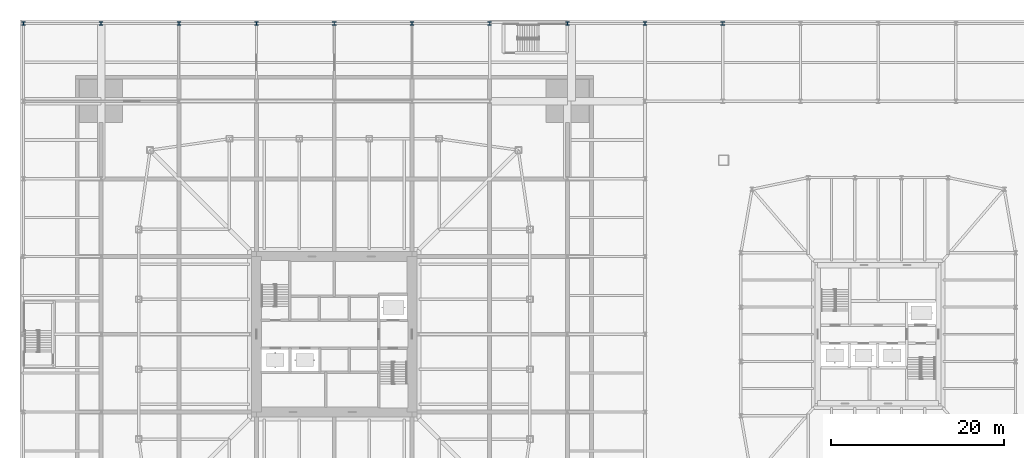
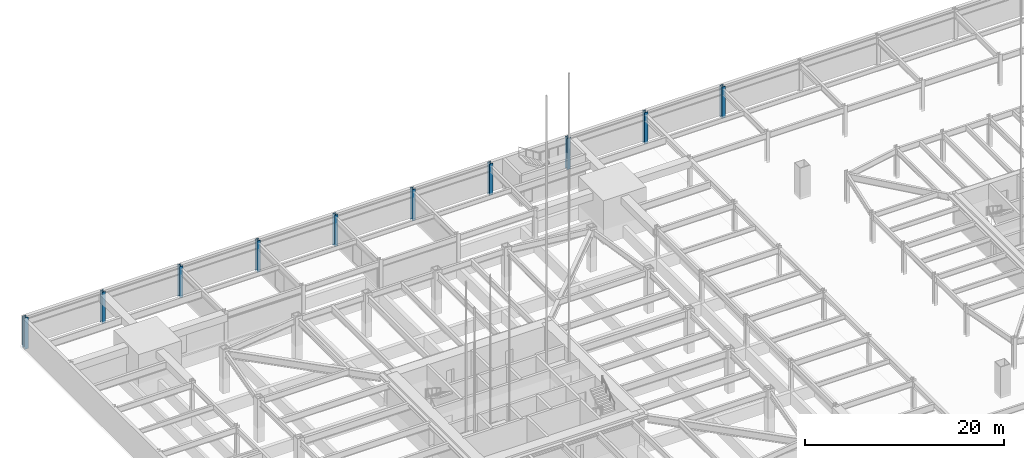
# One storey, part 4 of 35: 10 columns.
"""IFC4 building model written with IfcOpenShell, lengths in metres."""

from ifc_helpers import new_model, si_unit, direction, frame, origin, origin_2d, place, context, subcontext, project, spatial, i_section, extrude, material, material_profile, profile_set, type_object, element, save


model = new_model("IFC4")

# Units and contexts
model_context = context("Model", 3, precision=1e-05, world=origin(), true_north=direction((0.0, 1.0)))
body_context = subcontext(model_context, "Body", "Model", "MODEL_VIEW")
ifc_project = project(units=[si_unit("LENGTHUNIT", "METRE"), si_unit("AREAUNIT", "SQUARE_METRE"), si_unit("VOLUMEUNIT", "CUBIC_METRE"), si_unit("PLANEANGLEUNIT", "RADIAN"), si_unit("MASSUNIT", "GRAM", prefix="KILO")], contexts=[model_context])

# Site, building, storey
site_placement = place(None, origin())
site = spatial("IfcSite", under=ifc_project, at=site_placement, CompositionType="ELEMENT")
building_placement = place(site_placement, origin())
building = spatial("IfcBuilding", under=site, at=building_placement, Name="Iwan Alto Co-Living Towers", CompositionType="ELEMENT")
storey_placement = place(building_placement, frame((0.0, 0.0, -7.199951171875)))
storey = spatial("IfcBuildingStorey", under=building, at=storey_placement, Name="B2", CompositionType="ELEMENT", Elevation=-7.199951171875)

# Columns
ifc_material = material(Name="Steel ASTM A992 Gr 50", Category="steel")
ifc_material_profile = material_profile(ifc_material, i_section(OverallWidth=0.411376953125, OverallDepth=0.434326171875, WebThickness=0.035888671875, FlangeThickness=0.057373046875, at=origin_2d()), Name="W14X311")
ifc_profile_set = profile_set([ifc_material_profile], Name="Steel ASTM A992 Gr 50")
column_type = type_object("IfcColumnType", Name="PODIUM COLUMN W14X311", PredefinedType="COLUMN", material=ifc_profile_set)
for number, where, z_axis, x_axis, name in (
    (1, (-36.0, 36.0, -0.25), (0.0, 0.0, 1.0), (1.0, 0.0, 0.0), "Podium column 1/I B2"),
    (2, (-27.0, 36.0, -0.25), (0.0, 0.0, 1.0), (1.0, 0.0, 0.0), "Podium column 2/I B2"),
    (3, (-18.0, 36.0, -0.25), (0.0, 0.0, 1.0), (1.0, 0.0, 0.0), "Podium column 3/I B2"),
    (4, (-9.0, 36.0, -0.25), (0.0, 0.0, 1.0), (1.0, 0.0, 0.0), "Podium column 4/I B2"),
    (5, (0.0, 36.0, -0.25), (0.0, 0.0, 1.0), (1.0, 0.0, 0.0), "Podium column 5/I B2"),
    (6, (9.0, 36.0, -0.25), (0.0, 0.0, 1.0), (1.0, 0.0, 0.0), "Podium column 6/I B2"),
    (7, (18.0, 36.0, -0.25), (0.0, 0.0, 1.0), (1.0, 0.0, 0.0), "Podium column 7/I B2"),
    (8, (27.0, 36.0, -0.25), (0.0, 0.0, 1.0), (1.0, 0.0, 0.0), "Podium column 8/I B2"),
    (9, (36.0, 36.0, -0.25), (0.0, 0.0, 1.0), (1.0, 0.0, 0.0), "Podium column 9/I B2"),
    (10, (45.0, 36.0, -0.25), (0.0, 0.0, 1.0), (1.0, 0.0, 0.0), "Podium column 10/I B2"),
):
    element("IfcColumn", number, at=place(storey_placement, frame(where, z_axis=z_axis, x_axis=x_axis)), inside=storey, type_object=column_type, Name=name, PredefinedType="COLUMN", context=body_context, shape_type="SweptSolid", body=[
        extrude(i_section(OverallWidth=0.411376953125, OverallDepth=0.434326171875, WebThickness=0.035888671875, FlangeThickness=0.057373046875, at=origin_2d()), origin(), (0.0, 0.0, 1.0), 3.849853515625),
    ])

save(model, "model.ifc")
